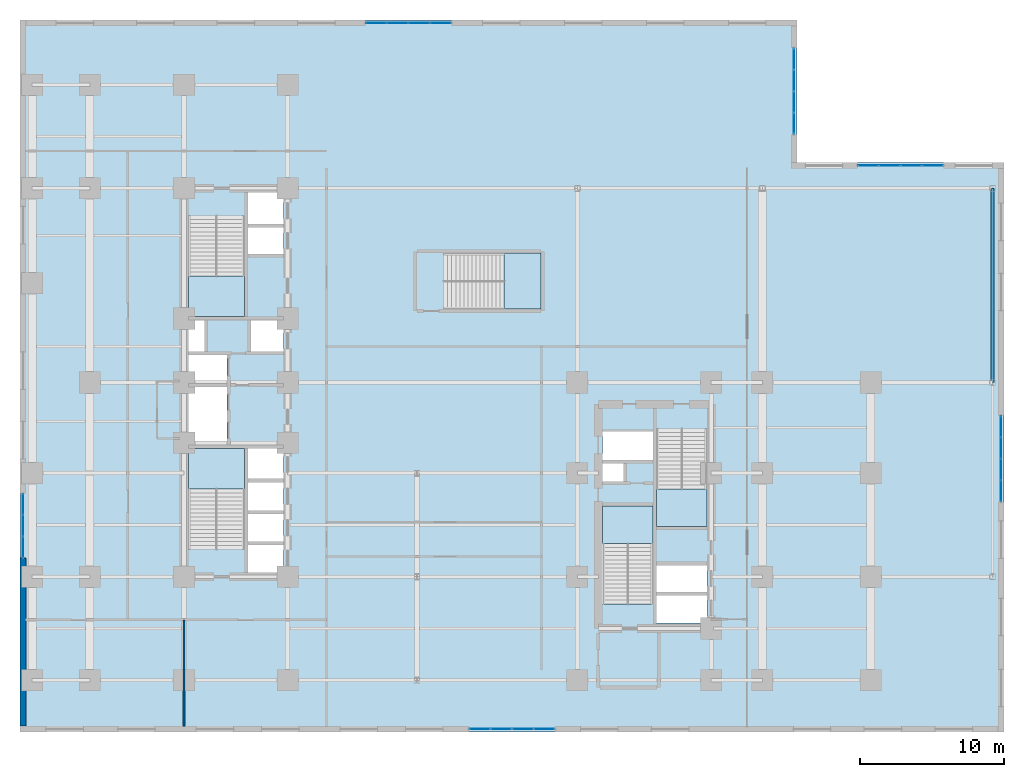
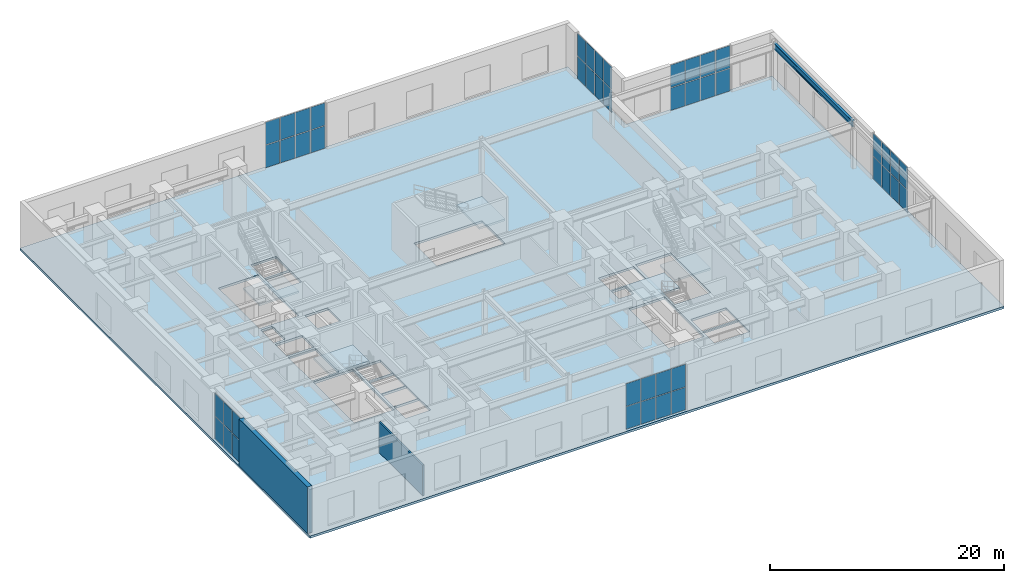
# One storey, part 16 of 23: 46 plates, 6 slabs, 2 walls, 1 beam, 11 elements without a shape of their own.
"""IFC4 building model written with IfcOpenShell, lengths in metres."""

from ifc_helpers import new_model, entity, si_unit, converted_unit, direction, frame, origin_with_axes, origin_2d_with_axis, place, context, subcontext, project, spatial, polyline, rectangle, i_section, outline, extrude, material, layer, layer_set, material_profile, profile_set, type_object, element, aggregate, save


model = new_model("IFC4")

# Units and contexts
model_context = context("Model", 3, precision=1e-05, world=origin_with_axes(), true_north=direction((0.0, 1.0)))
body_context = subcontext(model_context, "Body", "Model", "MODEL_VIEW")
ifc_project = project(units=[si_unit("LENGTHUNIT", "METRE"), si_unit("AREAUNIT", "SQUARE_METRE"), si_unit("VOLUMEUNIT", "CUBIC_METRE"), converted_unit("PLANEANGLEUNIT", "DEGREE", entity("IfcPlaneAngleMeasure", 0.017453292519943295), si_unit("PLANEANGLEUNIT", "RADIAN"), dimensions=[0, 0, 0, 0, 0, 0, 0]), si_unit("MASSUNIT", "GRAM", prefix="KILO"), si_unit("THERMODYNAMICTEMPERATUREUNIT", "KELVIN")], contexts=[model_context])

# Site, building, storey
site_placement = place(None, origin_with_axes())
site = spatial("IfcSite", under=ifc_project, at=site_placement, CompositionType="ELEMENT")
building_placement = place(site_placement, origin_with_axes())
building = spatial("IfcBuilding", under=site, at=building_placement, Name="Varnlund Millrace Tower", CompositionType="ELEMENT")
storey_placement = place(building_placement, frame((0.0, 0.0, 5.7), z_axis=(0.0, 0.0, 1.0), x_axis=(1.0, 0.0, 0.0)))
storey = spatial("IfcBuildingStorey", under=building, at=storey_placement, Name="L01", CompositionType="ELEMENT", Elevation=5.7)

# Beam
ifc_material_1 = material(Name="Steel ASTM A992 Grade 50", Category="steel")
ifc_material_profile = material_profile(ifc_material_1, i_section(OverallWidth=0.228, OverallDepth=0.607, WebThickness=0.0112, FlangeThickness=0.0173, FilletRadius=0.015, at=origin_2d_with_axis()), Name="Steel ASTM A992 Grade 50")
ifc_profile_set = profile_set([ifc_material_profile], Name="Steel ASTM A992 Grade 50")
beam_type = type_object("IfcBeamType", Name="Type-Beam-W24X76", PredefinedType="BEAM", material=ifc_profile_set)
beam_placement = place(storey_placement, frame((67.6, 24.3, 4.5565), z_axis=(0.0, 1.0, 0.0), x_axis=(-1.0, 0.0, 0.0)))
element("IfcBeam", 1, at=beam_placement, inside=storey, type_object=beam_type, Name="Type-Beam-W24X76", PredefinedType="BEAM", context=body_context, shape_type="SweptSolid", body=[
    extrude(i_section(OverallWidth=0.228, OverallDepth=0.607, WebThickness=0.0112, FlangeThickness=0.0173, FilletRadius=0.015, at=origin_2d_with_axis()), origin_with_axes(), (0.0, 0.0, 1.0), 13.5),
])

# Curtain wall, plates
ifc_material_2 = material(Name="Thermally broken architectural bronze curtain wall", Category="aluminium")
curtain_wall_type = type_object("IfcCurtainWallType", Name="Type-CW-Sys2-Skyway", PredefinedType="NOTDEFINED", material=ifc_material_2)
curtain_wall_1_placement = place(storey_placement, frame((58.2, 39.39, 0.0), z_axis=(0.0, 0.0, 1.0), x_axis=(1.0, 0.0, 0.0)))
curtain_wall_1 = element("IfcCurtainWall", 2, at=curtain_wall_1_placement, inside=storey, type_object=curtain_wall_type, Name="Type-CW-Sys2-Skyway", PredefinedType="NOTDEFINED")
ifc_material_3 = material(Name="Low-e argon triple-glazed curtain-wall unit", Category="glass")
ifc_layer_1 = layer(ifc_material_3, 0.028, Name="Low-e argon triple-glazed curtain-wall unit")
ifc_layer_set_1 = layer_set([ifc_layer_1], Name="Low-e argon triple-glazed curtain-wall unit")
plate_type = type_object("IfcPlateType", Name="Type-CW-Panel-TripleGlazed-28", PredefinedType="CURTAIN_PANEL", material=ifc_layer_set_1)
plate_1_placement = place(storey_placement, frame((58.965, 39.39, 0.06), z_axis=(0.0, 0.0, 1.0), x_axis=(1.0, 0.0, 0.0)))
plate_1 = element("IfcPlate", 3, at=plate_1_placement, type_object=plate_type, Name="CW-02 panel 1.1", PredefinedType="CURTAIN_PANEL", context=body_context, shape_type="SweptSolid", body=[
    extrude(rectangle(XDim=1.41, YDim=0.028, at=origin_2d_with_axis()), origin_with_axes(), (0.0, 0.0, 1.0), 2.34),
])
plate_2_placement = place(storey_placement, frame((58.965, 39.39, 2.46), z_axis=(0.0, 0.0, 1.0), x_axis=(1.0, 0.0, 0.0)))
plate_2 = element("IfcPlate", 4, at=plate_2_placement, type_object=plate_type, Name="CW-02 panel 1.2", PredefinedType="CURTAIN_PANEL", context=body_context, shape_type="SweptSolid", body=[
    extrude(rectangle(XDim=1.41, YDim=0.028, at=origin_2d_with_axis()), origin_with_axes(), (0.0, 0.0, 1.0), 2.34),
])
plate_3_placement = place(storey_placement, frame((60.45, 39.39, 0.06), z_axis=(0.0, 0.0, 1.0), x_axis=(1.0, 0.0, 0.0)))
plate_3 = element("IfcPlate", 5, at=plate_3_placement, type_object=plate_type, Name="CW-02 panel 2.1", PredefinedType="CURTAIN_PANEL", context=body_context, shape_type="SweptSolid", body=[
    extrude(rectangle(XDim=1.44, YDim=0.028, at=origin_2d_with_axis()), origin_with_axes(), (0.0, 0.0, 1.0), 2.34),
])
plate_4_placement = place(storey_placement, frame((60.45, 39.39, 2.46), z_axis=(0.0, 0.0, 1.0), x_axis=(1.0, 0.0, 0.0)))
plate_4 = element("IfcPlate", 6, at=plate_4_placement, type_object=plate_type, Name="CW-02 panel 2.2", PredefinedType="CURTAIN_PANEL", context=body_context, shape_type="SweptSolid", body=[
    extrude(rectangle(XDim=1.44, YDim=0.028, at=origin_2d_with_axis()), origin_with_axes(), (0.0, 0.0, 1.0), 2.34),
])
plate_5_placement = place(storey_placement, frame((61.95, 39.39, 0.06), z_axis=(0.0, 0.0, 1.0), x_axis=(1.0, 0.0, 0.0)))
plate_5 = element("IfcPlate", 7, at=plate_5_placement, type_object=plate_type, Name="CW-02 panel 3.1", PredefinedType="CURTAIN_PANEL", context=body_context, shape_type="SweptSolid", body=[
    extrude(rectangle(XDim=1.44, YDim=0.028, at=origin_2d_with_axis()), origin_with_axes(), (0.0, 0.0, 1.0), 2.34),
])
plate_6_placement = place(storey_placement, frame((61.95, 39.39, 2.46), z_axis=(0.0, 0.0, 1.0), x_axis=(1.0, 0.0, 0.0)))
plate_6 = element("IfcPlate", 8, at=plate_6_placement, type_object=plate_type, Name="CW-02 panel 3.2", PredefinedType="CURTAIN_PANEL", context=body_context, shape_type="SweptSolid", body=[
    extrude(rectangle(XDim=1.44, YDim=0.028, at=origin_2d_with_axis()), origin_with_axes(), (0.0, 0.0, 1.0), 2.34),
])
plate_7_placement = place(storey_placement, frame((63.435, 39.39, 0.06), z_axis=(0.0, 0.0, 1.0), x_axis=(1.0, 0.0, 0.0)))
plate_7 = element("IfcPlate", 9, at=plate_7_placement, type_object=plate_type, Name="CW-02 panel 4.1", PredefinedType="CURTAIN_PANEL", context=body_context, shape_type="SweptSolid", body=[
    extrude(rectangle(XDim=1.41, YDim=0.028, at=origin_2d_with_axis()), origin_with_axes(), (0.0, 0.0, 1.0), 2.34),
])
plate_8_placement = place(storey_placement, frame((63.435, 39.39, 2.46), z_axis=(0.0, 0.0, 1.0), x_axis=(1.0, 0.0, 0.0)))
plate_8 = element("IfcPlate", 10, at=plate_8_placement, type_object=plate_type, Name="CW-02 panel 4.2", PredefinedType="CURTAIN_PANEL", context=body_context, shape_type="SweptSolid", body=[
    extrude(rectangle(XDim=1.41, YDim=0.028, at=origin_2d_with_axis()), origin_with_axes(), (0.0, 0.0, 1.0), 2.34),
])
aggregate(curtain_wall_1, [plate_1, plate_2, plate_3, plate_4, plate_5, plate_6, plate_7, plate_8])

curtain_wall_2_placement = place(storey_placement, frame((53.79, 47.55, 0.0), z_axis=(0.0, 0.0, 1.0), x_axis=(1.0, 0.0, 0.0)))
curtain_wall_2 = element("IfcCurtainWall", 11, at=curtain_wall_2_placement, inside=storey, type_object=curtain_wall_type, Name="Type-CW-Sys2-Skyway", PredefinedType="NOTDEFINED")
plate_9_placement = place(storey_placement, frame((53.79, 46.785, 0.06), z_axis=(0.0, 0.0, 1.0), x_axis=(0.0, -1.0, 0.0)))
plate_9 = element("IfcPlate", 12, at=plate_9_placement, type_object=plate_type, Name="CW-02 panel 1.1", PredefinedType="CURTAIN_PANEL", context=body_context, shape_type="SweptSolid", body=[
    extrude(rectangle(XDim=1.41, YDim=0.028, at=origin_2d_with_axis()), origin_with_axes(), (0.0, 0.0, 1.0), 2.34),
])
plate_10_placement = place(storey_placement, frame((53.79, 46.785, 2.46), z_axis=(0.0, 0.0, 1.0), x_axis=(0.0, -1.0, 0.0)))
plate_10 = element("IfcPlate", 13, at=plate_10_placement, type_object=plate_type, Name="CW-02 panel 1.2", PredefinedType="CURTAIN_PANEL", context=body_context, shape_type="SweptSolid", body=[
    extrude(rectangle(XDim=1.41, YDim=0.028, at=origin_2d_with_axis()), origin_with_axes(), (0.0, 0.0, 1.0), 2.34),
])
plate_11_placement = place(storey_placement, frame((53.79, 45.3, 0.06), z_axis=(0.0, 0.0, 1.0), x_axis=(0.0, -1.0, 0.0)))
plate_11 = element("IfcPlate", 14, at=plate_11_placement, type_object=plate_type, Name="CW-02 panel 2.1", PredefinedType="CURTAIN_PANEL", context=body_context, shape_type="SweptSolid", body=[
    extrude(rectangle(XDim=1.44, YDim=0.028, at=origin_2d_with_axis()), origin_with_axes(), (0.0, 0.0, 1.0), 2.34),
])
plate_12_placement = place(storey_placement, frame((53.79, 45.3, 2.46), z_axis=(0.0, 0.0, 1.0), x_axis=(0.0, -1.0, 0.0)))
plate_12 = element("IfcPlate", 15, at=plate_12_placement, type_object=plate_type, Name="CW-02 panel 2.2", PredefinedType="CURTAIN_PANEL", context=body_context, shape_type="SweptSolid", body=[
    extrude(rectangle(XDim=1.44, YDim=0.028, at=origin_2d_with_axis()), origin_with_axes(), (0.0, 0.0, 1.0), 2.34),
])
plate_13_placement = place(storey_placement, frame((53.79, 43.8, 0.06), z_axis=(0.0, 0.0, 1.0), x_axis=(0.0, -1.0, 0.0)))
plate_13 = element("IfcPlate", 16, at=plate_13_placement, type_object=plate_type, Name="CW-02 panel 3.1", PredefinedType="CURTAIN_PANEL", context=body_context, shape_type="SweptSolid", body=[
    extrude(rectangle(XDim=1.44, YDim=0.028, at=origin_2d_with_axis()), origin_with_axes(), (0.0, 0.0, 1.0), 2.34),
])
plate_14_placement = place(storey_placement, frame((53.79, 43.8, 2.46), z_axis=(0.0, 0.0, 1.0), x_axis=(0.0, -1.0, 0.0)))
plate_14 = element("IfcPlate", 17, at=plate_14_placement, type_object=plate_type, Name="CW-02 panel 3.2", PredefinedType="CURTAIN_PANEL", context=body_context, shape_type="SweptSolid", body=[
    extrude(rectangle(XDim=1.44, YDim=0.028, at=origin_2d_with_axis()), origin_with_axes(), (0.0, 0.0, 1.0), 2.34),
])
plate_15_placement = place(storey_placement, frame((53.79, 42.315, 0.06), z_axis=(0.0, 0.0, 1.0), x_axis=(0.0, -1.0, 0.0)))
plate_15 = element("IfcPlate", 18, at=plate_15_placement, type_object=plate_type, Name="CW-02 panel 4.1", PredefinedType="CURTAIN_PANEL", context=body_context, shape_type="SweptSolid", body=[
    extrude(rectangle(XDim=1.41, YDim=0.028, at=origin_2d_with_axis()), origin_with_axes(), (0.0, 0.0, 1.0), 2.34),
])
plate_16_placement = place(storey_placement, frame((53.79, 42.315, 2.46), z_axis=(0.0, 0.0, 1.0), x_axis=(0.0, -1.0, 0.0)))
plate_16 = element("IfcPlate", 19, at=plate_16_placement, type_object=plate_type, Name="CW-02 panel 4.2", PredefinedType="CURTAIN_PANEL", context=body_context, shape_type="SweptSolid", body=[
    extrude(rectangle(XDim=1.41, YDim=0.028, at=origin_2d_with_axis()), origin_with_axes(), (0.0, 0.0, 1.0), 2.34),
])
aggregate(curtain_wall_2, [plate_9, plate_10, plate_11, plate_12, plate_13, plate_14, plate_15, plate_16])

curtain_wall_3_placement = place(storey_placement, frame((24.0, 49.29, 0.0), z_axis=(0.0, 0.0, 1.0), x_axis=(1.0, 0.0, 0.0)))
curtain_wall_3 = element("IfcCurtainWall", 20, at=curtain_wall_3_placement, inside=storey, type_object=curtain_wall_type, Name="Type-CW-Sys2-Skyway", PredefinedType="NOTDEFINED")
plate_17_placement = place(storey_placement, frame((24.765, 49.29, 0.06), z_axis=(0.0, 0.0, 1.0), x_axis=(1.0, 0.0, 0.0)))
plate_17 = element("IfcPlate", 21, at=plate_17_placement, type_object=plate_type, Name="CW-02 panel 1.1", PredefinedType="CURTAIN_PANEL", context=body_context, shape_type="SweptSolid", body=[
    extrude(rectangle(XDim=1.41, YDim=0.028, at=origin_2d_with_axis()), origin_with_axes(), (0.0, 0.0, 1.0), 2.34),
])
plate_18_placement = place(storey_placement, frame((24.765, 49.29, 2.46), z_axis=(0.0, 0.0, 1.0), x_axis=(1.0, 0.0, 0.0)))
plate_18 = element("IfcPlate", 22, at=plate_18_placement, type_object=plate_type, Name="CW-02 panel 1.2", PredefinedType="CURTAIN_PANEL", context=body_context, shape_type="SweptSolid", body=[
    extrude(rectangle(XDim=1.41, YDim=0.028, at=origin_2d_with_axis()), origin_with_axes(), (0.0, 0.0, 1.0), 2.34),
])
plate_19_placement = place(storey_placement, frame((26.25, 49.29, 0.06), z_axis=(0.0, 0.0, 1.0), x_axis=(1.0, 0.0, 0.0)))
plate_19 = element("IfcPlate", 23, at=plate_19_placement, type_object=plate_type, Name="CW-02 panel 2.1", PredefinedType="CURTAIN_PANEL", context=body_context, shape_type="SweptSolid", body=[
    extrude(rectangle(XDim=1.44, YDim=0.028, at=origin_2d_with_axis()), origin_with_axes(), (0.0, 0.0, 1.0), 2.34),
])
plate_20_placement = place(storey_placement, frame((26.25, 49.29, 2.46), z_axis=(0.0, 0.0, 1.0), x_axis=(1.0, 0.0, 0.0)))
plate_20 = element("IfcPlate", 24, at=plate_20_placement, type_object=plate_type, Name="CW-02 panel 2.2", PredefinedType="CURTAIN_PANEL", context=body_context, shape_type="SweptSolid", body=[
    extrude(rectangle(XDim=1.44, YDim=0.028, at=origin_2d_with_axis()), origin_with_axes(), (0.0, 0.0, 1.0), 2.34),
])
plate_21_placement = place(storey_placement, frame((27.75, 49.29, 0.06), z_axis=(0.0, 0.0, 1.0), x_axis=(1.0, 0.0, 0.0)))
plate_21 = element("IfcPlate", 25, at=plate_21_placement, type_object=plate_type, Name="CW-02 panel 3.1", PredefinedType="CURTAIN_PANEL", context=body_context, shape_type="SweptSolid", body=[
    extrude(rectangle(XDim=1.44, YDim=0.028, at=origin_2d_with_axis()), origin_with_axes(), (0.0, 0.0, 1.0), 2.34),
])
plate_22_placement = place(storey_placement, frame((27.75, 49.29, 2.46), z_axis=(0.0, 0.0, 1.0), x_axis=(1.0, 0.0, 0.0)))
plate_22 = element("IfcPlate", 26, at=plate_22_placement, type_object=plate_type, Name="CW-02 panel 3.2", PredefinedType="CURTAIN_PANEL", context=body_context, shape_type="SweptSolid", body=[
    extrude(rectangle(XDim=1.44, YDim=0.028, at=origin_2d_with_axis()), origin_with_axes(), (0.0, 0.0, 1.0), 2.34),
])
plate_23_placement = place(storey_placement, frame((29.235, 49.29, 0.06), z_axis=(0.0, 0.0, 1.0), x_axis=(1.0, 0.0, 0.0)))
plate_23 = element("IfcPlate", 27, at=plate_23_placement, type_object=plate_type, Name="CW-02 panel 4.1", PredefinedType="CURTAIN_PANEL", context=body_context, shape_type="SweptSolid", body=[
    extrude(rectangle(XDim=1.41, YDim=0.028, at=origin_2d_with_axis()), origin_with_axes(), (0.0, 0.0, 1.0), 2.34),
])
plate_24_placement = place(storey_placement, frame((29.235, 49.29, 2.46), z_axis=(0.0, 0.0, 1.0), x_axis=(1.0, 0.0, 0.0)))
plate_24 = element("IfcPlate", 28, at=plate_24_placement, type_object=plate_type, Name="CW-02 panel 4.2", PredefinedType="CURTAIN_PANEL", context=body_context, shape_type="SweptSolid", body=[
    extrude(rectangle(XDim=1.41, YDim=0.028, at=origin_2d_with_axis()), origin_with_axes(), (0.0, 0.0, 1.0), 2.34),
])
aggregate(curtain_wall_3, [plate_17, plate_18, plate_19, plate_20, plate_21, plate_22, plate_23, plate_24])

curtain_wall_4_placement = place(storey_placement, frame((0.21, 12.1, 0.0), z_axis=(0.0, 0.0, 1.0), x_axis=(1.0, 0.0, 0.0)))
curtain_wall_4 = element("IfcCurtainWall", 29, at=curtain_wall_4_placement, inside=storey, type_object=curtain_wall_type, Name="Type-CW-Sys2-Skyway", PredefinedType="NOTDEFINED")
plate_25_placement = place(storey_placement, frame((0.21, 12.865, 0.06), z_axis=(0.0, 0.0, 1.0), x_axis=(0.0, 1.0, 0.0)))
plate_25 = element("IfcPlate", 30, at=plate_25_placement, type_object=plate_type, Name="CW-02 panel 1.1", PredefinedType="CURTAIN_PANEL", context=body_context, shape_type="SweptSolid", body=[
    extrude(rectangle(XDim=1.41, YDim=0.028, at=origin_2d_with_axis()), origin_with_axes(), (0.0, 0.0, 1.0), 2.34),
])
plate_26_placement = place(storey_placement, frame((0.21, 12.865, 2.46), z_axis=(0.0, 0.0, 1.0), x_axis=(0.0, 1.0, 0.0)))
plate_26 = element("IfcPlate", 31, at=plate_26_placement, type_object=plate_type, Name="CW-02 panel 1.2", PredefinedType="CURTAIN_PANEL", context=body_context, shape_type="SweptSolid", body=[
    extrude(rectangle(XDim=1.41, YDim=0.028, at=origin_2d_with_axis()), origin_with_axes(), (0.0, 0.0, 1.0), 2.34),
])
plate_27_placement = place(storey_placement, frame((0.21, 14.35, 0.06), z_axis=(0.0, 0.0, 1.0), x_axis=(0.0, 1.0, 0.0)))
plate_27 = element("IfcPlate", 32, at=plate_27_placement, type_object=plate_type, Name="CW-02 panel 2.1", PredefinedType="CURTAIN_PANEL", context=body_context, shape_type="SweptSolid", body=[
    extrude(rectangle(XDim=1.44, YDim=0.028, at=origin_2d_with_axis()), origin_with_axes(), (0.0, 0.0, 1.0), 2.34),
])
plate_28_placement = place(storey_placement, frame((0.21, 14.35, 2.46), z_axis=(0.0, 0.0, 1.0), x_axis=(0.0, 1.0, 0.0)))
plate_28 = element("IfcPlate", 33, at=plate_28_placement, type_object=plate_type, Name="CW-02 panel 2.2", PredefinedType="CURTAIN_PANEL", context=body_context, shape_type="SweptSolid", body=[
    extrude(rectangle(XDim=1.44, YDim=0.028, at=origin_2d_with_axis()), origin_with_axes(), (0.0, 0.0, 1.0), 2.34),
])
plate_29_placement = place(storey_placement, frame((0.21, 15.835, 0.06), z_axis=(0.0, 0.0, 1.0), x_axis=(0.0, 1.0, 0.0)))
plate_29 = element("IfcPlate", 34, at=plate_29_placement, type_object=plate_type, Name="CW-02 panel 3.1", PredefinedType="CURTAIN_PANEL", context=body_context, shape_type="SweptSolid", body=[
    extrude(rectangle(XDim=1.41, YDim=0.028, at=origin_2d_with_axis()), origin_with_axes(), (0.0, 0.0, 1.0), 2.34),
])
plate_30_placement = place(storey_placement, frame((0.21, 15.835, 2.46), z_axis=(0.0, 0.0, 1.0), x_axis=(0.0, 1.0, 0.0)))
plate_30 = element("IfcPlate", 35, at=plate_30_placement, type_object=plate_type, Name="CW-02 panel 3.2", PredefinedType="CURTAIN_PANEL", context=body_context, shape_type="SweptSolid", body=[
    extrude(rectangle(XDim=1.41, YDim=0.028, at=origin_2d_with_axis()), origin_with_axes(), (0.0, 0.0, 1.0), 2.34),
])
aggregate(curtain_wall_4, [plate_25, plate_26, plate_27, plate_28, plate_29, plate_30])

curtain_wall_5_placement = place(storey_placement, frame((37.2, 0.21, 0.0), z_axis=(0.0, 0.0, 1.0), x_axis=(1.0, 0.0, 0.0)))
curtain_wall_5 = element("IfcCurtainWall", 36, at=curtain_wall_5_placement, inside=storey, type_object=curtain_wall_type, Name="Type-CW-Sys2-Skyway", PredefinedType="NOTDEFINED")
plate_31_placement = place(storey_placement, frame((36.435, 0.21, 0.06), z_axis=(0.0, 0.0, 1.0), x_axis=(-1.0, 0.0, 0.0)))
plate_31 = element("IfcPlate", 37, at=plate_31_placement, type_object=plate_type, Name="CW-02 panel 1.1", PredefinedType="CURTAIN_PANEL", context=body_context, shape_type="SweptSolid", body=[
    extrude(rectangle(XDim=1.41, YDim=0.028, at=origin_2d_with_axis()), origin_with_axes(), (0.0, 0.0, 1.0), 2.34),
])
plate_32_placement = place(storey_placement, frame((36.435, 0.21, 2.46), z_axis=(0.0, 0.0, 1.0), x_axis=(-1.0, 0.0, 0.0)))
plate_32 = element("IfcPlate", 38, at=plate_32_placement, type_object=plate_type, Name="CW-02 panel 1.2", PredefinedType="CURTAIN_PANEL", context=body_context, shape_type="SweptSolid", body=[
    extrude(rectangle(XDim=1.41, YDim=0.028, at=origin_2d_with_axis()), origin_with_axes(), (0.0, 0.0, 1.0), 2.34),
])
plate_33_placement = place(storey_placement, frame((34.95, 0.21, 0.06), z_axis=(0.0, 0.0, 1.0), x_axis=(-1.0, 0.0, 0.0)))
plate_33 = element("IfcPlate", 39, at=plate_33_placement, type_object=plate_type, Name="CW-02 panel 2.1", PredefinedType="CURTAIN_PANEL", context=body_context, shape_type="SweptSolid", body=[
    extrude(rectangle(XDim=1.44, YDim=0.028, at=origin_2d_with_axis()), origin_with_axes(), (0.0, 0.0, 1.0), 2.34),
])
plate_34_placement = place(storey_placement, frame((34.95, 0.21, 2.46), z_axis=(0.0, 0.0, 1.0), x_axis=(-1.0, 0.0, 0.0)))
plate_34 = element("IfcPlate", 40, at=plate_34_placement, type_object=plate_type, Name="CW-02 panel 2.2", PredefinedType="CURTAIN_PANEL", context=body_context, shape_type="SweptSolid", body=[
    extrude(rectangle(XDim=1.44, YDim=0.028, at=origin_2d_with_axis()), origin_with_axes(), (0.0, 0.0, 1.0), 2.34),
])
plate_35_placement = place(storey_placement, frame((33.45, 0.21, 0.06), z_axis=(0.0, 0.0, 1.0), x_axis=(-1.0, 0.0, 0.0)))
plate_35 = element("IfcPlate", 41, at=plate_35_placement, type_object=plate_type, Name="CW-02 panel 3.1", PredefinedType="CURTAIN_PANEL", context=body_context, shape_type="SweptSolid", body=[
    extrude(rectangle(XDim=1.44, YDim=0.028, at=origin_2d_with_axis()), origin_with_axes(), (0.0, 0.0, 1.0), 2.34),
])
plate_36_placement = place(storey_placement, frame((33.45, 0.21, 2.46), z_axis=(0.0, 0.0, 1.0), x_axis=(-1.0, 0.0, 0.0)))
plate_36 = element("IfcPlate", 42, at=plate_36_placement, type_object=plate_type, Name="CW-02 panel 3.2", PredefinedType="CURTAIN_PANEL", context=body_context, shape_type="SweptSolid", body=[
    extrude(rectangle(XDim=1.44, YDim=0.028, at=origin_2d_with_axis()), origin_with_axes(), (0.0, 0.0, 1.0), 2.34),
])
plate_37_placement = place(storey_placement, frame((31.965, 0.21, 0.06), z_axis=(0.0, 0.0, 1.0), x_axis=(-1.0, 0.0, 0.0)))
plate_37 = element("IfcPlate", 43, at=plate_37_placement, type_object=plate_type, Name="CW-02 panel 4.1", PredefinedType="CURTAIN_PANEL", context=body_context, shape_type="SweptSolid", body=[
    extrude(rectangle(XDim=1.41, YDim=0.028, at=origin_2d_with_axis()), origin_with_axes(), (0.0, 0.0, 1.0), 2.34),
])
plate_38_placement = place(storey_placement, frame((31.965, 0.21, 2.46), z_axis=(0.0, 0.0, 1.0), x_axis=(-1.0, 0.0, 0.0)))
plate_38 = element("IfcPlate", 44, at=plate_38_placement, type_object=plate_type, Name="CW-02 panel 4.2", PredefinedType="CURTAIN_PANEL", context=body_context, shape_type="SweptSolid", body=[
    extrude(rectangle(XDim=1.41, YDim=0.028, at=origin_2d_with_axis()), origin_with_axes(), (0.0, 0.0, 1.0), 2.34),
])
aggregate(curtain_wall_5, [plate_31, plate_32, plate_33, plate_34, plate_35, plate_36, plate_37, plate_38])

curtain_wall_6_placement = place(storey_placement, frame((68.19, 22.0, 0.0), z_axis=(0.0, 0.0, 1.0), x_axis=(1.0, 0.0, 0.0)))
curtain_wall_6 = element("IfcCurtainWall", 45, at=curtain_wall_6_placement, inside=storey, type_object=curtain_wall_type, Name="Type-CW-Sys2-Skyway", PredefinedType="NOTDEFINED")
plate_39_placement = place(storey_placement, frame((68.19, 21.235, 0.06), z_axis=(0.0, 0.0, 1.0), x_axis=(0.0, -1.0, 0.0)))
plate_39 = element("IfcPlate", 46, at=plate_39_placement, type_object=plate_type, Name="CW-02 panel 1.1", PredefinedType="CURTAIN_PANEL", context=body_context, shape_type="SweptSolid", body=[
    extrude(rectangle(XDim=1.41, YDim=0.028, at=origin_2d_with_axis()), origin_with_axes(), (0.0, 0.0, 1.0), 2.34),
])
plate_40_placement = place(storey_placement, frame((68.19, 21.235, 2.46), z_axis=(0.0, 0.0, 1.0), x_axis=(0.0, -1.0, 0.0)))
plate_40 = element("IfcPlate", 47, at=plate_40_placement, type_object=plate_type, Name="CW-02 panel 1.2", PredefinedType="CURTAIN_PANEL", context=body_context, shape_type="SweptSolid", body=[
    extrude(rectangle(XDim=1.41, YDim=0.028, at=origin_2d_with_axis()), origin_with_axes(), (0.0, 0.0, 1.0), 2.34),
])
plate_41_placement = place(storey_placement, frame((68.19, 19.75, 0.06), z_axis=(0.0, 0.0, 1.0), x_axis=(0.0, -1.0, 0.0)))
plate_41 = element("IfcPlate", 48, at=plate_41_placement, type_object=plate_type, Name="CW-02 panel 2.1", PredefinedType="CURTAIN_PANEL", context=body_context, shape_type="SweptSolid", body=[
    extrude(rectangle(XDim=1.44, YDim=0.028, at=origin_2d_with_axis()), origin_with_axes(), (0.0, 0.0, 1.0), 2.34),
])
plate_42_placement = place(storey_placement, frame((68.19, 19.75, 2.46), z_axis=(0.0, 0.0, 1.0), x_axis=(0.0, -1.0, 0.0)))
plate_42 = element("IfcPlate", 49, at=plate_42_placement, type_object=plate_type, Name="CW-02 panel 2.2", PredefinedType="CURTAIN_PANEL", context=body_context, shape_type="SweptSolid", body=[
    extrude(rectangle(XDim=1.44, YDim=0.028, at=origin_2d_with_axis()), origin_with_axes(), (0.0, 0.0, 1.0), 2.34),
])
plate_43_placement = place(storey_placement, frame((68.19, 18.25, 0.06), z_axis=(0.0, 0.0, 1.0), x_axis=(0.0, -1.0, 0.0)))
plate_43 = element("IfcPlate", 50, at=plate_43_placement, type_object=plate_type, Name="CW-02 panel 3.1", PredefinedType="CURTAIN_PANEL", context=body_context, shape_type="SweptSolid", body=[
    extrude(rectangle(XDim=1.44, YDim=0.028, at=origin_2d_with_axis()), origin_with_axes(), (0.0, 0.0, 1.0), 2.34),
])
plate_44_placement = place(storey_placement, frame((68.19, 18.25, 2.46), z_axis=(0.0, 0.0, 1.0), x_axis=(0.0, -1.0, 0.0)))
plate_44 = element("IfcPlate", 51, at=plate_44_placement, type_object=plate_type, Name="CW-02 panel 3.2", PredefinedType="CURTAIN_PANEL", context=body_context, shape_type="SweptSolid", body=[
    extrude(rectangle(XDim=1.44, YDim=0.028, at=origin_2d_with_axis()), origin_with_axes(), (0.0, 0.0, 1.0), 2.34),
])
plate_45_placement = place(storey_placement, frame((68.19, 16.765, 0.06), z_axis=(0.0, 0.0, 1.0), x_axis=(0.0, -1.0, 0.0)))
plate_45 = element("IfcPlate", 52, at=plate_45_placement, type_object=plate_type, Name="CW-02 panel 4.1", PredefinedType="CURTAIN_PANEL", context=body_context, shape_type="SweptSolid", body=[
    extrude(rectangle(XDim=1.41, YDim=0.028, at=origin_2d_with_axis()), origin_with_axes(), (0.0, 0.0, 1.0), 2.34),
])
plate_46_placement = place(storey_placement, frame((68.19, 16.765, 2.46), z_axis=(0.0, 0.0, 1.0), x_axis=(0.0, -1.0, 0.0)))
plate_46 = element("IfcPlate", 53, at=plate_46_placement, type_object=plate_type, Name="CW-02 panel 4.2", PredefinedType="CURTAIN_PANEL", context=body_context, shape_type="SweptSolid", body=[
    extrude(rectangle(XDim=1.41, YDim=0.028, at=origin_2d_with_axis()), origin_with_axes(), (0.0, 0.0, 1.0), 2.34),
])
aggregate(curtain_wall_6, [plate_39, plate_40, plate_41, plate_42, plate_43, plate_44, plate_45, plate_46])

# Slab
ifc_material_4 = material(Name="Concrete C60/75", Category="concrete")
ifc_layer_2 = layer(ifc_material_4, 0.24, Name="Concrete C60/75")
ifc_layer_set_2 = layer_set([ifc_layer_2], Name="Concrete C60/75")
slab_type_1 = type_object("IfcSlabType", Name="Type-Deck-Plate-Typical-240", PredefinedType="FLOOR", material=ifc_layer_set_2)
slab_1_placement = place(storey_placement, frame((0.0, 0.0, -0.24), z_axis=(0.0, 0.0, 1.0), x_axis=(1.0, 0.0, 0.0)))
element("IfcSlab", 54, at=slab_1_placement, inside=storey, type_object=slab_type_1, Name="Type-Deck-Plate-Typical-240", PredefinedType="FLOOR", context=body_context, shape_type="SweptSolid", body=[
    extrude(outline(polyline([(68.4, 39.6), (54.0, 39.6), (54.0, 49.5), (0.0, 49.5), (0.0, 0.0), (68.4, 0.0), (68.4, 39.6)]), holes=[polyline([(18.3, 11.1), (15.84, 11.1), (15.84, 13.1), (18.3, 13.1), (18.3, 11.1)]), polyline([(18.3, 13.16), (15.84, 13.16), (15.84, 15.24), (18.3, 15.24), (18.3, 13.16)]), polyline([(15.6, 12.715), (11.7, 12.715), (11.7, 19.7), (15.6, 19.7), (15.6, 12.715)]), polyline([(15.84, 15.34), (15.84, 17.46), (18.3, 17.46), (18.3, 15.34), (15.84, 15.34)]), polyline([(15.84, 17.52), (15.84, 19.7), (18.3, 19.7), (18.3, 17.52), (15.84, 17.52)]), polyline([(11.7, 23.98), (14.38, 23.98), (14.38, 19.94), (11.7, 19.94), (11.7, 23.98)]), polyline([(14.38, 24.24), (11.7, 24.24), (11.7, 26.2), (14.38, 26.2), (14.38, 24.24)]), polyline([(11.7, 26.46), (11.7, 28.65), (12.84, 28.65), (12.84, 26.46), (11.7, 26.46)]), polyline([(11.7, 28.9), (11.7, 35.885), (15.6, 35.885), (15.6, 28.9), (11.7, 28.9)]), polyline([(47.75, 7.6), (44.25, 7.6), (44.25, 9.6), (47.75, 9.6), (47.75, 7.6)]), polyline([(47.75, 9.66), (44.25, 9.66), (44.25, 11.68), (47.75, 11.68), (47.75, 9.66)]), polyline([(44.0, 8.915), (40.5, 8.915), (40.5, 15.7), (44.0, 15.7), (44.0, 8.915)]), polyline([(44.25, 14.3), (44.25, 21.085), (47.75, 21.085), (47.75, 14.3), (44.25, 14.3)]), polyline([(40.5, 17.42), (40.5, 18.72), (41.95, 18.72), (41.95, 17.42), (40.5, 17.42)]), polyline([(44.0, 18.88), (40.5, 18.88), (40.5, 20.94), (44.0, 20.94), (44.0, 18.88)]), polyline([(18.3, 26.46), (16.04, 26.46), (16.04, 28.65), (18.3, 28.65), (18.3, 26.46)]), polyline([(36.2, 29.4), (29.465, 29.4), (29.465, 33.3), (36.2, 33.3), (36.2, 29.4)]), polyline([(15.84, 33.12), (15.84, 35.18), (18.3, 35.18), (18.3, 33.12), (15.84, 33.12)]), polyline([(15.84, 35.22), (15.84, 37.5), (18.3, 37.5), (18.3, 35.22), (15.84, 35.22)])]), origin_with_axes(), (0.0, 0.0, 1.0), 0.24),
])

# Stair, slab
ifc_material_5 = material(Name="Concrete C50/60", Category="concrete")
stair_type_1 = type_object("IfcStairType", Name="Type-Stair-Dogleg-185-510", PredefinedType="HALF_TURN_STAIR", material=ifc_material_5)
stair_1_placement = place(storey_placement, origin_with_axes())
stair_1 = element("IfcStair", 55, at=stair_1_placement, inside=storey, type_object=stair_type_1, Name="Type-Stair-Dogleg-185-510", PredefinedType="HALF_TURN_STAIR")
ifc_layer_3 = layer(ifc_material_5, 0.2, Name="Concrete C50/60")
ifc_layer_set_3 = layer_set([ifc_layer_3], Name="Concrete C50/60")
slab_type_2 = type_object("IfcSlabType", Name="Type-StairLanding-200", PredefinedType="LANDING", material=ifc_layer_set_3)
slab_2_placement = place(storey_placement, frame((0.0, 0.0, 2.35), z_axis=(0.0, 0.0, 1.0), x_axis=(1.0, 0.0, 0.0)))
slab_2 = element("IfcSlab", 56, at=slab_2_placement, type_object=slab_type_2, Name="ST-A1 landing 1", PredefinedType="LANDING", context=body_context, shape_type="SweptSolid", body=[
    extrude(outline(polyline([(15.6, 16.9), (15.6, 19.7), (11.7, 19.7), (11.7, 16.9), (15.6, 16.9)])), origin_with_axes(), (0.0, 0.0, 1.0), 0.2),
])
aggregate(stair_1, [slab_2])

stair_2_placement = place(storey_placement, origin_with_axes())
stair_2 = element("IfcStair", 57, at=stair_2_placement, inside=storey, type_object=stair_type_1, Name="Type-Stair-Dogleg-185-510", PredefinedType="HALF_TURN_STAIR")
slab_3_placement = place(storey_placement, frame((0.0, 0.0, 2.35), z_axis=(0.0, 0.0, 1.0), x_axis=(1.0, 0.0, 0.0)))
slab_3 = element("IfcSlab", 58, at=slab_3_placement, type_object=slab_type_2, Name="ST-A2 landing 1", PredefinedType="LANDING", context=body_context, shape_type="SweptSolid", body=[
    extrude(outline(polyline([(11.7, 31.7), (11.7, 28.9), (15.6, 28.9), (15.6, 31.7), (11.7, 31.7)])), origin_with_axes(), (0.0, 0.0, 1.0), 0.2),
])
aggregate(stair_2, [slab_3])

stair_type_2 = type_object("IfcStairType", Name="Type-Stair-Dogleg-165-510", PredefinedType="HALF_TURN_STAIR", material=ifc_material_5)
stair_3_placement = place(storey_placement, origin_with_axes())
stair_3 = element("IfcStair", 59, at=stair_3_placement, inside=storey, type_object=stair_type_2, Name="Type-Stair-Dogleg-165-510", PredefinedType="HALF_TURN_STAIR")
slab_4_placement = place(storey_placement, frame((0.0, 0.0, 2.35), z_axis=(0.0, 0.0, 1.0), x_axis=(1.0, 0.0, 0.0)))
slab_4 = element("IfcSlab", 60, at=slab_4_placement, type_object=slab_type_2, Name="ST-B1 landing 1", PredefinedType="LANDING", context=body_context, shape_type="SweptSolid", body=[
    extrude(outline(polyline([(44.0, 13.1), (44.0, 15.7), (40.5, 15.7), (40.5, 13.1), (44.0, 13.1)])), origin_with_axes(), (0.0, 0.0, 1.0), 0.2),
])
aggregate(stair_3, [slab_4])

stair_4_placement = place(storey_placement, origin_with_axes())
stair_4 = element("IfcStair", 61, at=stair_4_placement, inside=storey, type_object=stair_type_2, Name="Type-Stair-Dogleg-165-510", PredefinedType="HALF_TURN_STAIR")
slab_5_placement = place(storey_placement, frame((0.0, 0.0, 2.35), z_axis=(0.0, 0.0, 1.0), x_axis=(1.0, 0.0, 0.0)))
slab_5 = element("IfcSlab", 62, at=slab_5_placement, type_object=slab_type_2, Name="ST-B2 landing 1", PredefinedType="LANDING", context=body_context, shape_type="SweptSolid", body=[
    extrude(outline(polyline([(44.25, 16.9), (44.25, 14.3), (47.75, 14.3), (47.75, 16.9), (44.25, 16.9)])), origin_with_axes(), (0.0, 0.0, 1.0), 0.2),
])
aggregate(stair_4, [slab_5])

stair_5_placement = place(storey_placement, origin_with_axes())
stair_5 = element("IfcStair", 63, at=stair_5_placement, inside=storey, type_object=stair_type_1, Name="Type-Stair-Dogleg-185-510", PredefinedType="HALF_TURN_STAIR")
slab_6_placement = place(storey_placement, frame((0.0, 0.0, 2.35), z_axis=(0.0, 0.0, 1.0), x_axis=(1.0, 0.0, 0.0)))
slab_6 = element("IfcSlab", 64, at=slab_6_placement, type_object=slab_type_2, Name="ST-P1 landing 1", PredefinedType="LANDING", context=body_context, shape_type="SweptSolid", body=[
    extrude(outline(polyline([(33.65, 29.4), (36.2, 29.4), (36.2, 33.3), (33.65, 33.3), (33.65, 29.4)])), origin_with_axes(), (0.0, 0.0, 1.0), 0.2),
])
aggregate(stair_5, [slab_6])

# Walls
ifc_material_6 = material(Name="Precast concrete C50/60", Category="concrete")
ifc_layer_4 = layer(ifc_material_6, 0.42, Name="Precast concrete C50/60")
ifc_layer_set_4 = layer_set([ifc_layer_4], Name="Precast concrete C50/60")
wall_type_1 = type_object("IfcWallType", Name="Type-ExtWall-Precast-Pier-420", PredefinedType="SOLIDWALL", material=ifc_layer_set_4)
wall_1_placement = place(storey_placement, frame((0.21, 0.42, 0.0), z_axis=(0.0, 0.0, 1.0), x_axis=(0.0, 1.0, 0.0)))
element("IfcWall", 65, at=wall_1_placement, inside=storey, type_object=wall_type_1, Name="Type-ExtWall-Precast-Pier-420", PredefinedType="SOLIDWALL", context=body_context, shape_type="SweptSolid", body=[
    extrude(outline(polyline([(0.0, -0.21), (11.68, -0.21), (11.68, 0.21), (0.0, 0.21), (0.0, -0.21)])), origin_with_axes(), (0.0, 0.0, 1.0), 4.86),
])
ifc_material_7 = material(Name="Acoustic STC-50 gypsum board partition", Category="gypsum")
ifc_layer_5 = layer(ifc_material_7, 0.15, Name="Acoustic STC-50 gypsum board partition")
ifc_layer_set_5 = layer_set([ifc_layer_5], Name="Acoustic STC-50 gypsum board partition")
wall_type_2 = type_object("IfcWallType", Name="Type-Partition-Demising-150", PredefinedType="PARTITIONING", material=ifc_layer_set_5)
wall_2_placement = place(storey_placement, frame((11.4, 0.38, 0.0), z_axis=(0.0, 0.0, 1.0), x_axis=(0.0, 1.0, 0.0)))
element("IfcWall", 66, at=wall_2_placement, inside=storey, type_object=wall_type_2, Name="Type-Partition-Demising-150", PredefinedType="PARTITIONING", context=body_context, shape_type="SweptSolid", body=[
    extrude(outline(polyline([(0.0, -0.075), (7.42, -0.075), (7.42, 0.075), (0.0, 0.075), (0.0, -0.075)])), origin_with_axes(), (0.0, 0.0, 1.0), 3.2),
])

save(model, "model.ifc")
